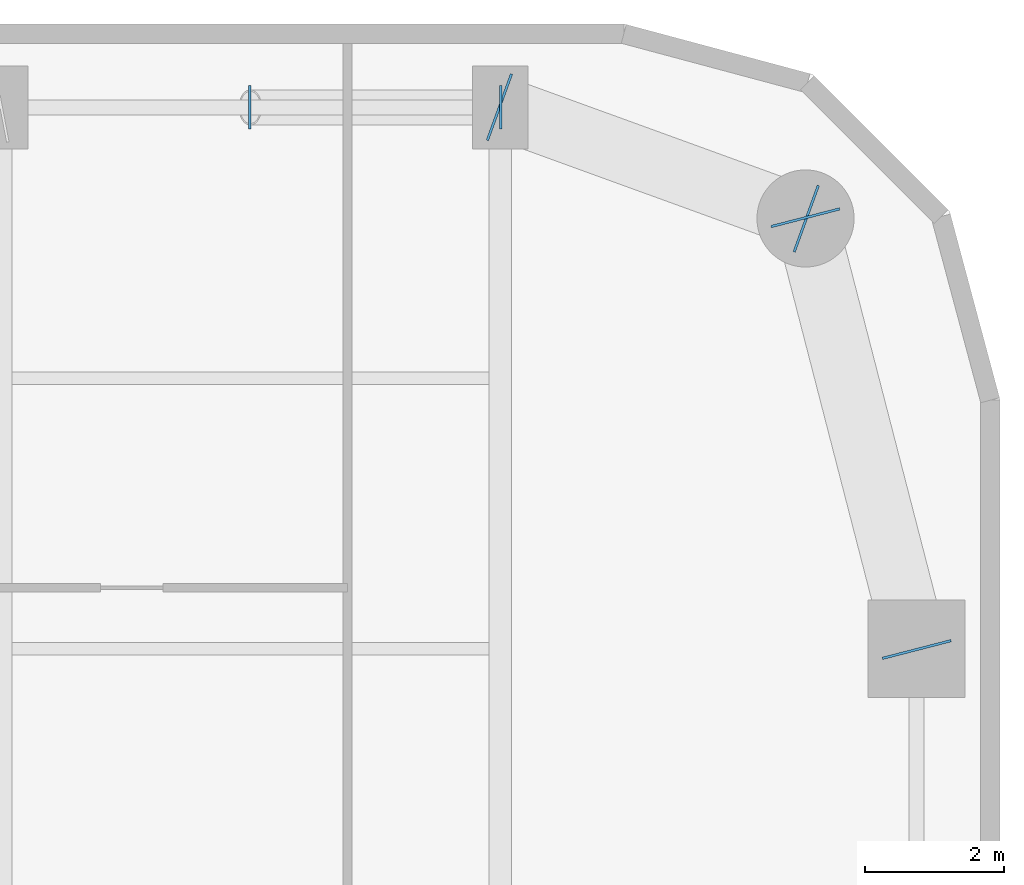
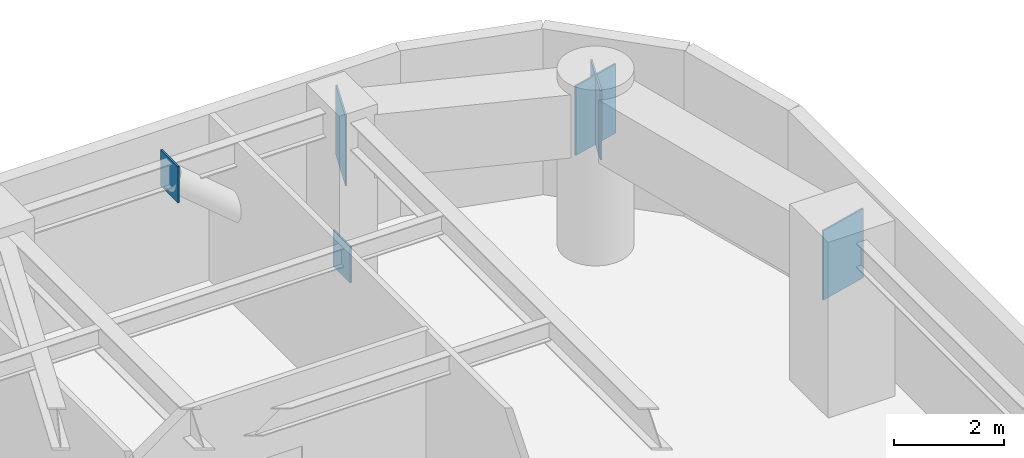
# One storey, part 23 of 30: 6 plates.
"""IFC4 building model written with IfcOpenShell, lengths in metres."""

from ifc_helpers import new_model, si_unit, direction, frame, origin, origin_2d, place, context, subcontext, project, spatial, rectangle, extrude, material, layer, layer_set, type_object, element, save


model = new_model("IFC4")

# Units and contexts
model_context = context("Model", 3, precision=1e-05, world=origin(), true_north=direction((0.0, 1.0)))
body_context = subcontext(model_context, "Body", "Model", "MODEL_VIEW")
ifc_project = project(units=[si_unit("LENGTHUNIT", "METRE"), si_unit("AREAUNIT", "SQUARE_METRE"), si_unit("VOLUMEUNIT", "CUBIC_METRE"), si_unit("PLANEANGLEUNIT", "RADIAN"), si_unit("MASSUNIT", "GRAM", prefix="KILO")], contexts=[model_context])

# Site, building, storey
site_placement = place(None, origin())
site = spatial("IfcSite", under=ifc_project, at=site_placement, CompositionType="ELEMENT")
building_placement = place(site_placement, origin())
building = spatial("IfcBuilding", under=site, at=building_placement, Name="Kiyonajd Concourse Tower", CompositionType="ELEMENT")
storey_placement = place(building_placement, frame((0.0, 0.0, 154.5)))
storey = spatial("IfcBuildingStorey", under=building, at=storey_placement, Name="L39", CompositionType="ELEMENT", Elevation=154.5)

# Plates
ifc_material = material(Name="Steel ASTM A572 Grade 50", Category="steel")
ifc_layer_1 = layer(ifc_material, 0.028076171875)
ifc_layer_set_1 = layer_set([ifc_layer_1], Name="Steel ASTM A572 Grade 50")
plate_type_1 = type_object("IfcPlateType", Name="PL-CAP-450", PredefinedType="USERDEFINED", material=ifc_layer_set_1)
for number, where, z_axis, x_axis, name in (
    (1, (63.6083984375, 61.199951171875, -0.10888671875), (0.0, 0.0, 1.0), (1.0, 0.0, 0.0), "L39 Hollow Brace End Cap Plate PBN"),
    (2, (59.99169921875, 61.199951171875, 2.93505859375), (0.0, 0.0, 1.0), (-1.0, 0.0, 0.0), "L39 Hollow Brace Top Cap Plate PBN"),
):
    element("IfcPlate", number, at=place(storey_placement, frame(where, z_axis=z_axis, x_axis=x_axis)), inside=storey, type_object=plate_type_1, Name=name, ObjectType="CAP PLATE", PredefinedType="USERDEFINED", context=body_context, shape_type="SweptSolid", body=[
        extrude(rectangle(XDim=0.035888671875, YDim=0.6279296875, at=origin_2d()), origin(), (0.0, 0.0, 1.0), 0.803955078125),
    ])
ifc_layer_2 = layer(ifc_material, 0.031982421875)
ifc_layer_set_2 = layer_set([ifc_layer_2], Name="Steel ASTM A572 Grade 50")
plate_type_2 = type_object("IfcPlateType", Name="PL-CAP-540", PredefinedType="USERDEFINED", material=ifc_layer_set_2)
for number, where, z_axis, x_axis, name in (
    (3, (69.602783203125, 53.389404296875, 2.2099609375), (0.0, 0.0, 1.0), (0.249873048837, -0.968278606324, 0.0), "L39 Welded Box Girder End Cap"),
    (4, (67.997314453125, 59.610595703125, 2.2099609375), (0.0, 0.0, 1.0), (-0.249873048837, 0.968278606324, 0.0), "L39 Welded Box Girder End Cap"),
    (5, (68.01025390625, 59.59619140625, 2.2099609375), (0.0, 0.0, 1.0), (0.939811951086, -0.341692107891, 0.0), "L39 Welded Box Girder End Cap"),
    (6, (63.589599609375, 61.203857421875, 2.2099609375), (0.0, 0.0, 1.0), (-0.939811951086, 0.341692107891, 0.0), "L39 Welded Box Girder End Cap"),
):
    element("IfcPlate", number, at=place(storey_placement, frame(where, z_axis=z_axis, x_axis=x_axis)), inside=storey, type_object=plate_type_2, Name=name, ObjectType="CAP PLATE", PredefinedType="USERDEFINED", context=body_context, shape_type="SweptSolid", body=[
        extrude(rectangle(XDim=0.035888671875, YDim=1.02001953125, at=origin_2d()), origin(), (0.0, 0.0, 1.0), 1.5400390625),
    ])

save(model, "model.ifc")
